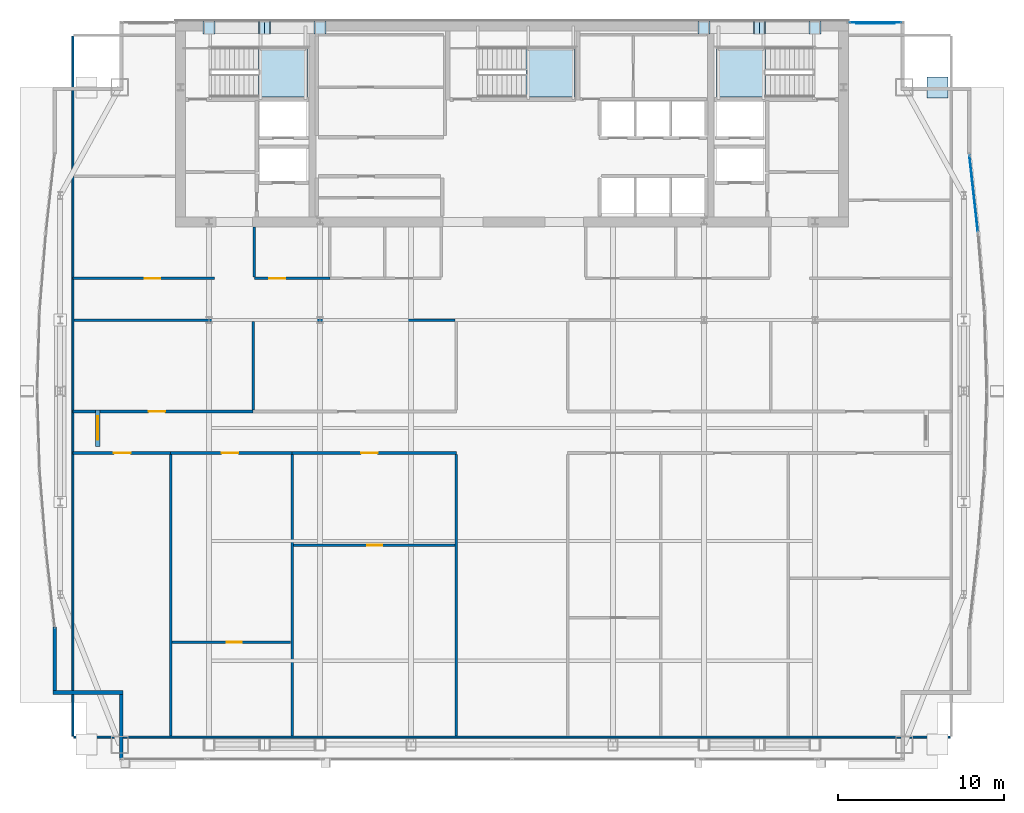
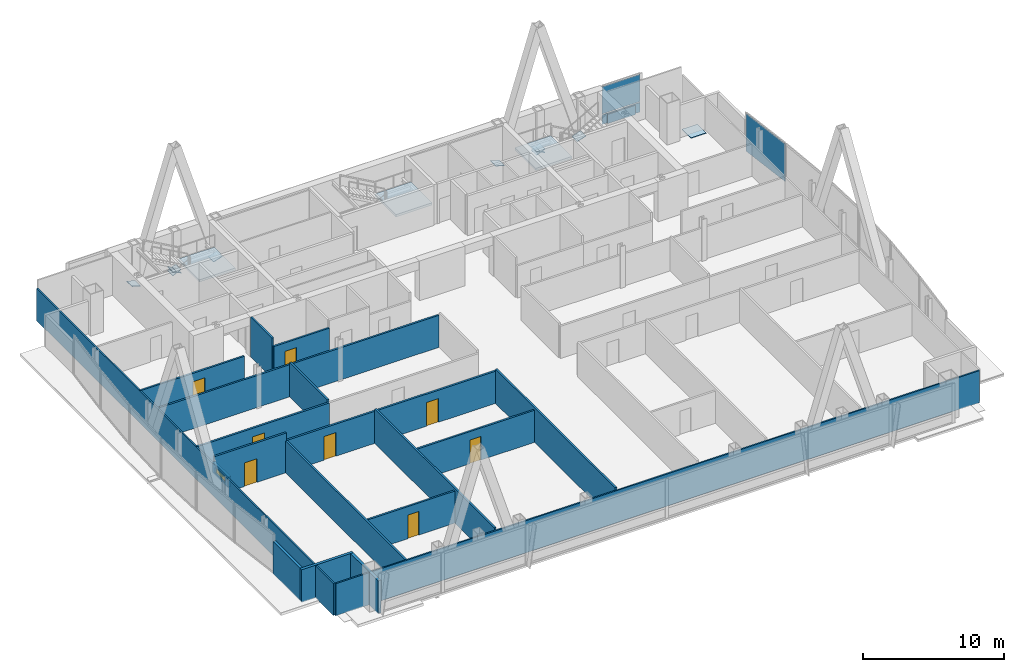
# One storey, part 25 of 30: 20 walls, 13 plates, 8 doors, 3 slabs, 1 window, 9 openings, 5 elements without a shape of their own.
"""IFC4 building model written with IfcOpenShell, lengths in metres."""

from ifc_helpers import new_model, si_unit, direction, frame, frame_2d, origin, origin_2d, place, context, subcontext, project, spatial, polyline, rectangle, outline, extrude, material, layer, layer_set, type_object, element, fill, aggregate, save


model = new_model("IFC4")

# Units and contexts
model_context = context("Model", 3, precision=1e-05, world=origin(), true_north=direction((0.0, 1.0)))
body_context = subcontext(model_context, "Body", "Model", "MODEL_VIEW")
ifc_project = project(units=[si_unit("LENGTHUNIT", "METRE"), si_unit("AREAUNIT", "SQUARE_METRE"), si_unit("VOLUMEUNIT", "CUBIC_METRE"), si_unit("PLANEANGLEUNIT", "RADIAN"), si_unit("MASSUNIT", "GRAM", prefix="KILO")], contexts=[model_context])

# Site, building, storey
site_placement = place(None, origin())
site = spatial("IfcSite", under=ifc_project, at=site_placement, CompositionType="ELEMENT")
building_placement = place(site_placement, origin())
building = spatial("IfcBuilding", under=site, at=building_placement, Name="Khoronbel Lancet Exchange", CompositionType="ELEMENT")
storey_placement = place(building_placement, frame((0.0, 0.0, 239.0)))
storey = spatial("IfcBuildingStorey", under=building, at=storey_placement, Name="L61", CompositionType="ELEMENT", Elevation=239.0)

# Curtain wall, plates
ifc_material_1 = material(Name="Low-E Solar Control Insulating Glass", Category="glass")
curtain_wall_type_1 = type_object("IfcCurtainWallType", Name="CW-3", PredefinedType="NOTDEFINED", material=ifc_material_1)
curtain_wall_1_placement = place(storey_placement, origin())
curtain_wall_1 = element("IfcCurtainWall", 1, at=curtain_wall_1_placement, inside=storey, type_object=curtain_wall_type_1, Name="Unitised curtain wall CW-L61-NEFLK", PredefinedType="NOTDEFINED")
ifc_material_2 = material(Name="Bronze-Anodised Aluminium 6063-T6", Category="aluminium")
ifc_layer_1 = layer(ifc_material_2, 0.050048828125, Name="Bronze-Anodised Aluminium 6063-T6")
ifc_layer_set_1 = layer_set([ifc_layer_1], Name="Bronze-Anodised Aluminium 6063-T6")
plate_type_1 = type_object("IfcPlateType", Name="PLT-CSP1", PredefinedType="SHEET", material=ifc_layer_set_1)
plate_1_placement = place(storey_placement, frame((58.320068359375, 53.550048828125, 0.0498046875), z_axis=(0.0, 0.0, 1.0), x_axis=(-1.0, 0.0, 0.0)))
plate_1 = element("IfcPlate", 2, at=plate_1_placement, type_object=plate_type_1, Name="Insulated bronze spandrel cassette CW-L61-NEFLK", PredefinedType="SHEET", context=body_context, shape_type="SweptSolid", body=[
    extrude(rectangle(XDim=2.2958984375, YDim=0.050048828125, at=origin_2d()), origin(), (0.0, 0.0, 1.0), 0.800048828125),
])
ifc_layer_2 = layer(ifc_material_1, 0.035888671875, Name="Low-E Solar Control Insulating Glass")
ifc_layer_set_2 = layer_set([ifc_layer_2], Name="Low-E Solar Control Insulating Glass")
plate_type_2 = type_object("IfcPlateType", Name="PLT-CWP1", PredefinedType="CURTAIN_PANEL", material=ifc_layer_set_2)
plate_2_placement = place(storey_placement, frame((58.320068359375, 53.610107421875, 0.0849609375), z_axis=(0.0, 0.0, 1.0), x_axis=(-1.0, 0.0, 0.0)))
plate_2 = element("IfcPlate", 3, at=plate_2_placement, type_object=plate_type_2, Name="CW3 panel 1.1", PredefinedType="CURTAIN_PANEL", context=body_context, shape_type="SweptSolid", body=[
    extrude(rectangle(XDim=3.110107421875, YDim=0.0380859375, at=origin_2d()), origin(), (0.0, 0.0, 1.0), 0.822509765625),
])
plate_3_placement = place(storey_placement, frame((58.320068359375, 53.610107421875, 0.99267578125), z_axis=(0.0, 0.0, 1.0), x_axis=(-1.0, 0.0, 0.0)))
plate_3 = element("IfcPlate", 4, at=plate_3_placement, type_object=plate_type_2, Name="CW3 panel 1.2", PredefinedType="CURTAIN_PANEL", context=body_context, shape_type="SweptSolid", body=[
    extrude(rectangle(XDim=3.110107421875, YDim=0.0380859375, at=origin_2d()), origin(), (0.0, 0.0, 1.0), 2.362548828125),
])
aggregate(curtain_wall_1, [plate_2, plate_3, plate_1])

# Curtain wall, plate
curtain_wall_type_2 = type_object("IfcCurtainWallType", Name="CW-4", PredefinedType="NOTDEFINED", material=ifc_material_1)
curtain_wall_2_placement = place(storey_placement, origin())
curtain_wall_2 = element("IfcCurtainWall", 5, at=curtain_wall_2_placement, inside=storey, type_object=curtain_wall_type_2, Name="Unitised curtain wall CW-L61-E17", PredefinedType="NOTDEFINED")
ifc_material_3 = material(Name="Ceramic-Fritted Laminated Insulating Glass", Category="glass")
ifc_layer_3 = layer(ifc_material_3, 0.0419921875, Name="Ceramic-Fritted Laminated Insulating Glass")
ifc_layer_set_3 = layer_set([ifc_layer_3], Name="Ceramic-Fritted Laminated Insulating Glass")
plate_type_3 = type_object("IfcPlateType", Name="PLT-CWP2", PredefinedType="CURTAIN_PANEL", material=ifc_layer_set_3)
plate_4_placement = place(storey_placement, frame((64.22265625, 43.318115234375, 0.0849609375), z_axis=(0.0, 0.0, 1.0), x_axis=(0.109857775256, -0.993947317123, 0.0)))
plate_4 = element("IfcPlate", 6, at=plate_4_placement, type_object=plate_type_3, Name="CW4 panel 1.1", PredefinedType="CURTAIN_PANEL", context=body_context, shape_type="SweptSolid", body=[
    extrude(rectangle(XDim=4.632568359375, YDim=0.0380859375, at=origin_2d()), origin(), (0.0, 0.0, 1.0), 3.27001953125),
])
aggregate(curtain_wall_2, [plate_4])

# Plates
ifc_material_4 = material(Name="Steel S460", Category="steel")
ifc_layer_4 = layer(ifc_material_4, 0.044921875, Name="Steel S460")
ifc_layer_set_4 = layer_set([ifc_layer_4], Name="Steel S460")
plate_type_4 = type_object("IfcPlateType", Name="PLT-ECP1", PredefinedType="USERDEFINED", material=ifc_layer_set_4)
plate_5_placement = place(storey_placement, frame((0.0, 0.0, -0.011962890625)))
element("IfcPlate", 7, at=plate_5_placement, inside=storey, type_object=plate_type_4, Name="Hollow end cap plate PLT-CAP-COL-L60-MC-NE-TOP", ObjectType="STIFFENER_PLATE", PredefinedType="USERDEFINED", context=body_context, shape_type="SweptSolid", body=[
    extrude(outline(polyline([(61.419921875, 49.070068359375), (62.679931640625, 49.070068359375), (62.679931640625, 50.330078125), (61.419921875, 50.330078125), (61.419921875, 49.070068359375)])), origin(), (0.0, 0.0, 1.0), 0.044921875),
])
for number, where, z_axis, x_axis, name in (
    (8, (21.921142578125, 52.89990234375, -0.1298828125), (0.420544868923, 0.0, 0.907271741664), (0.0, 1.0, 0.0), "Hollow end cap plate PLT-CAP-MEM-MB-T20-N-W-L-1"),
    (9, (21.203857421875, 53.659912109375, -0.1298828125), (-0.420544868923, 0.0, 0.907271741664), (0.0, -1.0, 0.0), "Hollow end cap plate PLT-CAP-MEM-MB-T20-N-W-R-1"),
    (10, (51.696044921875, 52.89990234375, -0.1298828125), (0.420544868923, 0.0, 0.907271741664), (0.0, 1.0, 0.0), "Hollow end cap plate PLT-CAP-MEM-MB-T20-N-E-L-1"),
):
    element("IfcPlate", number, at=place(storey_placement, frame(where, z_axis=z_axis, x_axis=x_axis)), inside=storey, type_object=plate_type_4, Name=name, ObjectType="STIFFENER_PLATE", PredefinedType="USERDEFINED", context=body_context, shape_type="SweptSolid", body=[
        extrude(outline(polyline([(0.0, 0.0), (0.760009765625, 0.0), (0.760009765625, 0.760009765625), (0.0, 0.760009765625), (0.0, 0.0)])), origin(), (0.0, 0.0, -1.0), 0.044921875),
    ])
plate_6_placement = place(storey_placement, frame((50.978759765625, 53.659912109375, -0.1298828125), z_axis=(-0.420422320018, 0.0, 0.907328536326), x_axis=(0.0, -1.0, 0.0)))
element("IfcPlate", 11, at=plate_6_placement, inside=storey, type_object=plate_type_4, Name="Hollow end cap plate PLT-CAP-MEM-MB-T20-N-E-R-1", ObjectType="STIFFENER_PLATE", PredefinedType="USERDEFINED", context=body_context, shape_type="SweptSolid", body=[
    extrude(outline(polyline([(0.0, 0.0), (0.760009765625, 0.0), (0.760009765625, 0.76025390625), (0.0, 0.76025390625), (0.0, 0.0)])), origin(), (0.0, 0.0, -1.0), 0.044921875),
])
for number, where, z_axis, x_axis, name in (
    (12, (18.591552734375, 52.89990234375, -0.100830078125), (0.295530172732, 0.0, 0.955333406202), (0.0, 1.0, 0.0), "Hollow end cap plate PLT-CAP-MEM-MB-T21-N-W-L-0"),
    (13, (24.533447265625, 53.659912109375, -0.100830078125), (-0.295530172732, 0.0, 0.955333406202), (0.0, -1.0, 0.0), "Hollow end cap plate PLT-CAP-MEM-MB-T21-N-W-R-0"),
):
    element("IfcPlate", number, at=place(storey_placement, frame(where, z_axis=z_axis, x_axis=x_axis)), inside=storey, type_object=plate_type_4, Name=name, ObjectType="STIFFENER_PLATE", PredefinedType="USERDEFINED", context=body_context, shape_type="SweptSolid", body=[
        extrude(outline(polyline([(0.0, 0.0), (0.760009765625, 0.0), (0.760009765625, 0.760009765625), (0.0, 0.760009765625), (0.0, 0.0)])), origin(), (0.0, 0.0, -1.0), 0.044921875),
    ])
plate_7_placement = place(storey_placement, frame((48.36669921875, 52.89990234375, -0.100830078125), z_axis=(0.295439506846, 0.0, 0.955361448769), x_axis=(0.0, 1.0, 0.0)))
element("IfcPlate", 14, at=plate_7_placement, inside=storey, type_object=plate_type_4, Name="Hollow end cap plate PLT-CAP-MEM-MB-T21-N-E-L-0", ObjectType="STIFFENER_PLATE", PredefinedType="USERDEFINED", context=body_context, shape_type="SweptSolid", body=[
    extrude(outline(polyline([(0.0, 0.0), (0.760009765625, 0.0), (0.760009765625, 0.76025390625), (0.0, 0.76025390625), (0.0, 0.0)])), origin(), (0.0, 0.0, -1.0), 0.044921875),
])
plate_8_placement = place(storey_placement, frame((54.308349609375, 53.659912109375, -0.100830078125), z_axis=(-0.295530172732, 0.0, 0.955333406202), x_axis=(0.0, -1.0, 0.0)))
element("IfcPlate", 15, at=plate_8_placement, inside=storey, type_object=plate_type_4, Name="Hollow end cap plate PLT-CAP-MEM-MB-T21-N-E-R-0", ObjectType="STIFFENER_PLATE", PredefinedType="USERDEFINED", context=body_context, shape_type="SweptSolid", body=[
    extrude(outline(polyline([(0.0, 0.0), (0.760009765625, 0.0), (0.760009765625, 0.760009765625), (0.0, 0.760009765625), (0.0, 0.0)])), origin(), (0.0, 0.0, -1.0), 0.044921875),
])

# Stair, slab
ifc_material_5 = material(Name="Concrete C40/50", Category="concrete")
stair_type = type_object("IfcStairType", Name="STR-CORE150", PredefinedType="HALF_TURN_STAIR", material=ifc_material_5)
stair_1_placement = place(storey_placement, origin())
stair_1 = element("IfcStair", 16, at=stair_1_placement, inside=storey, type_object=stair_type, Name="L61 Protected Exit Stair ST1", PredefinedType="HALF_TURN_STAIR")
ifc_layer_5 = layer(ifc_material_5, 0.199951171875, Name="Concrete C40/50")
ifc_layer_set_5 = layer_set([ifc_layer_5], Name="Concrete C40/50")
slab_type = type_object("IfcSlabType", Name="SL-LND180", PredefinedType="LANDING", material=ifc_layer_set_5)
slab_1_placement = place(storey_placement, frame((0.0, 0.0, 1.60009765625)))
slab_1 = element("IfcSlab", 17, at=slab_1_placement, type_object=slab_type, Name="ST1 landing 1", PredefinedType="LANDING", context=body_context, shape_type="SweptSolid", body=[
    extrude(outline(polyline([(21.199951171875, 49.1201171875), (24.14990234375, 49.1201171875), (24.14990234375, 52.10009765625), (21.199951171875, 52.10009765625), (21.199951171875, 49.1201171875)])), origin(), (0.0, 0.0, 1.0), 0.199951171875),
])
aggregate(stair_1, [slab_1])

stair_2_placement = place(storey_placement, origin())
stair_2 = element("IfcStair", 18, at=stair_2_placement, inside=storey, type_object=stair_type, Name="L61 Protected Exit Stair ST2", PredefinedType="HALF_TURN_STAIR")
slab_2_placement = place(storey_placement, frame((0.0, 0.0, 1.60009765625)))
slab_2 = element("IfcSlab", 19, at=slab_2_placement, type_object=slab_type, Name="ST2 landing 1", PredefinedType="LANDING", context=body_context, shape_type="SweptSolid", body=[
    extrude(outline(polyline([(51.699951171875, 52.10009765625), (48.75, 52.10009765625), (48.75, 49.1201171875), (51.699951171875, 49.1201171875), (51.699951171875, 52.10009765625)])), origin(), (0.0, 0.0, 1.0), 0.199951171875),
])
aggregate(stair_2, [slab_2])

stair_3_placement = place(storey_placement, origin())
stair_3 = element("IfcStair", 20, at=stair_3_placement, inside=storey, type_object=stair_type, Name="L61 Protected Exit Stair ST3", PredefinedType="HALF_TURN_STAIR")
slab_3_placement = place(storey_placement, frame((0.0, 0.0, 1.60009765625)))
slab_3 = element("IfcSlab", 21, at=slab_3_placement, type_object=slab_type, Name="ST3 landing 1", PredefinedType="LANDING", context=body_context, shape_type="SweptSolid", body=[
    extrude(outline(polyline([(37.300048828125, 49.1201171875), (40.25, 49.1201171875), (40.25, 52.10009765625), (37.300048828125, 52.10009765625), (37.300048828125, 49.1201171875)])), origin(), (0.0, 0.0, 1.0), 0.199951171875),
])
aggregate(stair_3, [slab_3])

# Walls
ifc_material_6 = material(Name="Precast concrete C40/50", Category="concrete")
ifc_layer_6 = layer(ifc_material_6, 0.25, Name="Precast concrete C40/50")
ifc_layer_set_6 = layer_set([ifc_layer_6], Name="Precast concrete C40/50")
wall_type_1 = type_object("IfcWallType", Name="WL-EXT250", PredefinedType="SOLIDWALL", material=ifc_layer_set_6)
wall_1_placement = place(storey_placement, frame((12.93994140625, 9.27001953125, 0.0), z_axis=(0.0, 0.0, 1.0), x_axis=(0.0, 1.0, 0.0)))
element("IfcWall", 22, at=wall_1_placement, inside=storey, type_object=wall_type_1, Name="Level L61 notched-corner limestone pier 01", PredefinedType="SOLIDWALL", context=body_context, shape_type="SweptSolid", body=[
    extrude(rectangle(XDim=3.909912109375, YDim=0.219970703125, at=frame_2d((1.955078125, 0.0))), origin(), (0.0, 0.0, 1.0), 2.830078125),
])
wall_2_placement = place(storey_placement, frame((13.050048828125, 13.2900390625, 0.0), z_axis=(0.0, 0.0, 1.0), x_axis=(-1.0, 0.0, 0.0)))
element("IfcWall", 23, at=wall_2_placement, inside=storey, type_object=wall_type_1, Name="Level L61 notched-corner limestone pier 02", PredefinedType="SOLIDWALL", context=body_context, shape_type="SweptSolid", body=[
    extrude(rectangle(XDim=4.219970703125, YDim=0.219970703125, at=frame_2d((2.10986328125, 0.0))), origin(), (0.0, 0.0, 1.0), 2.830078125),
])
wall_3_placement = place(storey_placement, frame((8.93994140625, 13.39990234375, 0.0), z_axis=(0.0, 0.0, 1.0), x_axis=(0.0, 1.0, 0.0)))
element("IfcWall", 24, at=wall_3_placement, inside=storey, type_object=wall_type_1, Name="Level L61 notched-corner limestone pier 03", PredefinedType="SOLIDWALL", context=body_context, shape_type="SweptSolid", body=[
    extrude(rectangle(XDim=3.8251953125, YDim=0.219970703125, at=frame_2d((1.91259765625, 0.0))), origin(), (0.0, 0.0, 1.0), 2.830078125),
])

# Wall, opening, window
ifc_layer_7 = layer(ifc_material_5, 0.25, Name="Concrete C40/50")
ifc_layer_set_7 = layer_set([ifc_layer_7], Name="Concrete C40/50")
wall_type_2 = type_object("IfcWallType", Name="WL-PAR250", PredefinedType="PARAPET", material=ifc_layer_set_7)
wall_4_placement = place(storey_placement, frame((11.52490234375, 28.10009765625, 0.0), z_axis=(0.0, 0.0, 1.0), x_axis=(0.0, 1.0, 0.0)))
wall_4 = element("IfcWall", 25, at=wall_4_placement, inside=storey, type_object=wall_type_2, Name="Level L61 setback roof slab 1 smoke-ventilation skylight lantern curb", PredefinedType="PARAPET", context=body_context, shape_type="SweptSolid", body=[
    extrude(rectangle(XDim=2.199951171875, YDim=0.25, at=frame_2d((1.10009765625, 0.0))), origin(), (0.0, 0.0, 1.0), 0.8798828125),
])
opening_1_placement = place(wall_4_placement, frame((0.39990234375, 0.0, 0.159912109375)))
opening_1 = element("IfcOpeningElement", 26, at=opening_1_placement, cuts=wall_4, Name="Opening SK2", PredefinedType="OPENING", context=body_context, shape_type="SweptSolid", body=[
    extrude(rectangle(XDim=1.39990234375, YDim=0.5, at=frame_2d((0.699951171875, 0.25))), frame((0.0, 0.135009765625, 0.0), z_axis=(0.0, -1.0, 0.0), x_axis=(1.0, 0.0, 0.0)), (0.0, 0.0, 1.0), 0.27001953125),
])
window_type = type_object("IfcWindowType", Name="WIN-SK2", PartitioningType="SINGLE_PANEL", PredefinedType="SKYLIGHT", material=ifc_material_1)
window_placement = place(opening_1_placement, origin())
window = element("IfcWindow", 27, at=window_placement, inside=storey, type_object=window_type, Name="Level L61 setback roof slab 1 smoke-ventilation clerestory skylight", OverallHeight=0.5, OverallWidth=1.39990234375, PartitioningType="SINGLE_PANEL", PredefinedType="SKYLIGHT", context=body_context, shape_type="SweptSolid", body=[
    extrude(rectangle(XDim=1.39990234375, YDim=0.5, at=frame_2d((0.699951171875, 0.25))), frame((0.0, 0.030029296875, 0.0), z_axis=(0.0, -1.0, 0.0), x_axis=(1.0, 0.0, 0.0)), (0.0, 0.0, 1.0), 0.06005859375),
])
fill(opening_1, window)

# Wall
ifc_material_7 = material(Name="Acoustic Metal-Stud & Mineral-Wool Gypsum Partition 120 mm", Category="gypsum")
ifc_layer_8 = layer(ifc_material_7, 0.1201171875, Name="Acoustic Metal-Stud & Mineral-Wool Gypsum Partition 120 mm")
ifc_layer_set_8 = layer_set([ifc_layer_8], Name="Acoustic Metal-Stud & Mineral-Wool Gypsum Partition 120 mm")
wall_type_3 = type_object("IfcWallType", Name="WL-PRT120", PredefinedType="PARTITIONING", material=ifc_layer_set_8)
wall_5_placement = place(storey_placement, frame((20.949951171875, 38.280029296875, 0.0), z_axis=(0.0, 0.0, 1.0), x_axis=(0.0, 1.0, 0.0)))
element("IfcWall", 28, at=wall_5_placement, inside=storey, type_object=wall_type_3, Name="Level L61 interior partition PW-WC-0", PredefinedType="PARTITIONING", context=body_context, shape_type="SweptSolid", body=[
    extrude(rectangle(XDim=3.02001953125, YDim=0.14990234375, at=frame_2d((1.510009765625, 0.0))), origin(), (0.0, 0.0, 1.0), 3.43994140625),
])

# Wall, opening, door
wall_6_placement = place(storey_placement, frame((15.99609375, 16.31689453125, 0.0), z_axis=(0.0, 0.0, 1.0), x_axis=(1.0, 0.0, 0.0)))
wall_6 = element("IfcWall", 29, at=wall_6_placement, inside=storey, type_object=wall_type_3, Name="Level L61 interior partition PW-Z3SW-H2", PredefinedType="PARTITIONING", context=body_context, shape_type="SweptSolid", body=[
    extrude(rectangle(XDim=7.140625, YDim=0.14990234375, at=frame_2d((3.5703125, 0.0))), origin(), (0.0, 0.0, 1.0), 2.780029296875),
])
opening_2_placement = place(wall_6_placement, frame((3.285400390625, 0.0, 0.0)))
opening_2 = element("IfcOpeningElement", 30, at=opening_2_placement, cuts=wall_6, Name="Opening D5", PredefinedType="OPENING", context=body_context, shape_type="SweptSolid", body=[
    extrude(rectangle(XDim=0.89990234375, YDim=2.050048828125, at=frame_2d((0.449951171875, 1.02490234375))), frame((0.0, 0.0849609375, 0.0), z_axis=(0.0, -1.0, 0.0), x_axis=(1.0, 0.0, 0.0)), (0.0, 0.0, 1.0), 0.169921875),
])
ifc_material_8 = material(Name="Acoustic Timber Pantry & Support Door", Category="wood")
door_type_1 = type_object("IfcDoorType", Name="DR-D5", OperationType="NOTDEFINED", PredefinedType="DOOR", material=ifc_material_8)
door_1_placement = place(opening_2_placement, origin())
door_1 = element("IfcDoor", 31, at=door_1_placement, inside=storey, type_object=door_type_1, Name="Z3SW inner door 2 L61-1", OperationType="SINGLE_SWING_LEFT", OverallHeight=2.050048828125, OverallWidth=0.89990234375, PredefinedType="DOOR", context=body_context, shape_type="SweptSolid", body=[
    extrude(rectangle(XDim=0.89990234375, YDim=2.050048828125, at=frame_2d((0.449951171875, 1.02490234375))), frame((0.0, 0.02490234375, 0.0), z_axis=(0.0, -1.0, 0.0), x_axis=(1.0, 0.0, 0.0)), (0.0, 0.0, 1.0), 0.050048828125),
])
fill(opening_2, door_1)

wall_7_placement = place(storey_placement, frame((23.296875, 22.141845703125, 0.0), z_axis=(0.0, 0.0, 1.0), x_axis=(1.0, 0.0, 0.0)))
wall_7 = element("IfcWall", 32, at=wall_7_placement, inside=storey, type_object=wall_type_3, Name="Level L61 interior partition PW-Z3SW-H3", PredefinedType="PARTITIONING", context=body_context, shape_type="SweptSolid", body=[
    extrude(rectangle(XDim=9.72314453125, YDim=0.14990234375, at=frame_2d((4.861572265625, 0.0))), origin(), (0.0, 0.0, 1.0), 2.780029296875),
])
opening_3_placement = place(wall_7_placement, frame((4.447509765625, 0.0, 0.0)))
opening_3 = element("IfcOpeningElement", 33, at=opening_3_placement, cuts=wall_7, Name="Opening D5", PredefinedType="OPENING", context=body_context, shape_type="SweptSolid", body=[
    extrude(rectangle(XDim=0.89990234375, YDim=2.050048828125, at=frame_2d((0.449951171875, 1.02490234375))), frame((0.0, 0.0849609375, 0.0), z_axis=(0.0, -1.0, 0.0), x_axis=(1.0, 0.0, 0.0)), (0.0, 0.0, 1.0), 0.169921875),
])
door_2_placement = place(opening_3_placement, origin())
door_2 = element("IfcDoor", 34, at=door_2_placement, inside=storey, type_object=door_type_1, Name="Z3SW inner door 3 L61-1", OperationType="SINGLE_SWING_LEFT", OverallHeight=2.050048828125, OverallWidth=0.89990234375, PredefinedType="DOOR", context=body_context, shape_type="SweptSolid", body=[
    extrude(rectangle(XDim=0.89990234375, YDim=2.050048828125, at=frame_2d((0.449951171875, 1.02490234375))), frame((0.0, 0.02490234375, 0.0), z_axis=(0.0, -1.0, 0.0), x_axis=(1.0, 0.0, 0.0)), (0.0, 0.0, 1.0), 0.050048828125),
])
fill(opening_3, door_2)

# Walls
wall_8_placement = place(storey_placement, frame((10.030029296875, 10.6650390625, 0.0), z_axis=(0.0, 0.0, 1.0), x_axis=(0.0, 1.0, 0.0)))
element("IfcWall", 35, at=wall_8_placement, inside=storey, type_object=wall_type_3, Name="Level L61 interior partition PW-LIN-W", PredefinedType="PARTITIONING", context=body_context, shape_type="SweptSolid", body=[
    extrude(rectangle(XDim=42.10986328125, YDim=0.1201171875, at=frame_2d((21.054931640625, 0.0))), origin(), (0.0, 0.0, 1.0), 2.780029296875),
])
wall_9_placement = place(storey_placement, frame((10.094970703125, 10.60009765625, 0.0), z_axis=(0.0, 0.0, 1.0), x_axis=(1.0, 0.0, 0.0)))
element("IfcWall", 36, at=wall_9_placement, inside=storey, type_object=wall_type_3, Name="Level L61 interior partition PW-LIN-S", PredefinedType="PARTITIONING", context=body_context, shape_type="SweptSolid", body=[
    extrude(rectangle(XDim=52.7099609375, YDim=0.1201171875, at=frame_2d((26.35498046875, 0.0))), origin(), (0.0, 0.0, 1.0), 2.780029296875),
])

# Wall, opening, door
ifc_material_9 = material(Name="Fire-Rated Twin-Stud Acoustic Gypsum Partition 150 mm", Category="gypsum")
ifc_layer_9 = layer(ifc_material_9, 0.14990234375, Name="Fire-Rated Twin-Stud Acoustic Gypsum Partition 150 mm")
ifc_layer_set_9 = layer_set([ifc_layer_9], Name="Fire-Rated Twin-Stud Acoustic Gypsum Partition 150 mm")
wall_type_4 = type_object("IfcWallType", Name="WL-PRT150C", PredefinedType="PARTITIONING", material=ifc_layer_set_9)
wall_10_placement = place(storey_placement, frame((20.949951171875, 38.199951171875, 0.0), z_axis=(0.0, 0.0, 1.0), x_axis=(1.0, 0.0, 0.0)))
wall_10 = element("IfcWall", 37, at=wall_10_placement, inside=storey, type_object=wall_type_4, Name="Level L61 interior partition PW-WC-S1", PredefinedType="PARTITIONING", context=body_context, shape_type="SweptSolid", body=[
    extrude(rectangle(XDim=4.550048828125, YDim=0.14990234375, at=frame_2d((2.27490234375, 0.0))), origin(), (0.0, 0.0, 1.0), 2.780029296875),
])
opening_4_placement = place(wall_10_placement, frame((0.89990234375, 0.0, 0.0)))
opening_4 = element("IfcOpeningElement", 38, at=opening_4_placement, cuts=wall_10, Name="Opening D4", PredefinedType="OPENING", context=body_context, shape_type="SweptSolid", body=[
    extrude(rectangle(XDim=0.949951171875, YDim=2.050048828125, at=frame_2d((0.47509765625, 1.02490234375))), frame((0.0, 0.0849609375, 0.0), z_axis=(0.0, -1.0, 0.0), x_axis=(1.0, 0.0, 0.0)), (0.0, 0.0, 1.0), 0.169921875),
])
ifc_material_10 = material(Name="Moisture-Resistant HPL Washroom Door", Category="wood")
door_type_2 = type_object("IfcDoorType", Name="DR-D4", OperationType="NOTDEFINED", PredefinedType="DOOR", material=ifc_material_10)
door_3_placement = place(opening_4_placement, origin())
door_3 = element("IfcDoor", 39, at=door_3_placement, inside=storey, type_object=door_type_2, Name="Male washroom door L61-1", OperationType="SINGLE_SWING_RIGHT", OverallHeight=2.050048828125, OverallWidth=0.949951171875, PredefinedType="DOOR", context=body_context, shape_type="SweptSolid", body=[
    extrude(rectangle(XDim=0.949951171875, YDim=2.050048828125, at=frame_2d((0.47509765625, 1.02490234375))), frame((0.0, 0.02490234375, 0.0), z_axis=(0.0, -1.0, 0.0), x_axis=(1.0, 0.0, 0.0)), (0.0, 0.0, 1.0), 0.050048828125),
])
fill(opening_4, door_3)

wall_11_placement = place(storey_placement, frame((10.030029296875, 38.199951171875, 0.0), z_axis=(0.0, 0.0, 1.0), x_axis=(1.0, 0.0, 0.0)))
wall_11 = element("IfcWall", 40, at=wall_11_placement, inside=storey, type_object=wall_type_4, Name="Level L61 interior partition PW-NW-S", PredefinedType="PARTITIONING", context=body_context, shape_type="SweptSolid", body=[
    extrude(rectangle(XDim=8.52001953125, YDim=0.14990234375, at=frame_2d((4.260009765625, 0.0))), origin(), (0.0, 0.0, 1.0), 2.780029296875),
])
opening_5_placement = place(wall_11_placement, frame((4.320068359375, 0.0, 0.0)))
opening_5 = element("IfcOpeningElement", 41, at=opening_5_placement, cuts=wall_11, Name="Opening D1", PredefinedType="OPENING", context=body_context, shape_type="SweptSolid", body=[
    extrude(rectangle(XDim=0.949951171875, YDim=2.050048828125, at=frame_2d((0.47509765625, 1.02490234375))), frame((0.0, 0.0849609375, 0.0), z_axis=(0.0, -1.0, 0.0), x_axis=(1.0, 0.0, 0.0)), (0.0, 0.0, 1.0), 0.169921875),
])
ifc_material_11 = material(Name="Acoustic Veneered Timber & Bronze Frame Door", Category="wood")
door_type_3 = type_object("IfcDoorType", Name="DR-D1", OperationType="NOTDEFINED", PredefinedType="DOOR", material=ifc_material_11)
door_4_placement = place(opening_5_placement, origin())
door_4 = element("IfcDoor", 42, at=door_4_placement, inside=storey, type_object=door_type_3, Name="NW corner room door L61-1", OperationType="SINGLE_SWING_LEFT", OverallHeight=2.050048828125, OverallWidth=0.949951171875, PredefinedType="DOOR", context=body_context, shape_type="SweptSolid", body=[
    extrude(rectangle(XDim=0.949951171875, YDim=2.050048828125, at=frame_2d((0.47509765625, 1.02490234375))), frame((0.0, 0.02490234375, 0.0), z_axis=(0.0, -1.0, 0.0), x_axis=(1.0, 0.0, 0.0)), (0.0, 0.0, 1.0), 0.050048828125),
])
fill(opening_5, door_4)

# Walls
wall_12_placement = place(storey_placement, frame((33.10009765625, 10.6650390625, 0.0), z_axis=(0.0, 0.0, 1.0), x_axis=(0.0, 1.0, 0.0)))
element("IfcWall", 43, at=wall_12_placement, inside=storey, type_object=wall_type_4, Name="Level L61 interior partition PW-Z3-CW1", PredefinedType="PARTITIONING", context=body_context, shape_type="SweptSolid", body=[
    extrude(rectangle(XDim=16.949951171875, YDim=0.14990234375, at=frame_2d((8.47509765625, 0.0))), origin(), (0.0, 0.0, 1.0), 2.97998046875),
])
wall_13_placement = place(storey_placement, frame((10.094970703125, 35.699951171875, 0.0), z_axis=(0.0, 0.0, 1.0), x_axis=(1.0, 0.0, 0.0)))
element("IfcWall", 44, at=wall_13_placement, inside=storey, type_object=wall_type_4, Name="Level L61 interior partition PW-Z3-WN", PredefinedType="PARTITIONING", context=body_context, shape_type="SweptSolid", body=[
    extrude(rectangle(XDim=22.925048828125, YDim=0.14990234375, at=frame_2d((11.46240234375, 0.0))), origin(), (0.0, 0.0, 1.0), 2.780029296875),
])
wall_14_placement = place(storey_placement, frame((15.916015625, 10.6650390625, 0.0), z_axis=(0.0, 0.0, 1.0), x_axis=(0.0, 1.0, 0.0)))
element("IfcWall", 45, at=wall_14_placement, inside=storey, type_object=wall_type_4, Name="Level L61 interior partition PW-Z3SW-V1", PredefinedType="PARTITIONING", context=body_context, shape_type="SweptSolid", body=[
    extrude(rectangle(XDim=16.949951171875, YDim=0.14990234375, at=frame_2d((8.47509765625, 0.0))), origin(), (0.0, 0.0, 1.0), 2.780029296875),
])
wall_15_placement = place(storey_placement, frame((23.216796875, 10.6650390625, 0.0), z_axis=(0.0, 0.0, 1.0), x_axis=(0.0, 1.0, 0.0)))
element("IfcWall", 46, at=wall_15_placement, inside=storey, type_object=wall_type_4, Name="Level L61 interior partition PW-Z3SW-V2", PredefinedType="PARTITIONING", context=body_context, shape_type="SweptSolid", body=[
    extrude(rectangle(XDim=16.949951171875, YDim=0.14990234375, at=frame_2d((8.47509765625, 0.0))), origin(), (0.0, 0.0, 1.0), 2.97998046875),
])
wall_16_placement = place(storey_placement, frame((20.87060546875, 30.284912109375, 0.0), z_axis=(0.0, 0.0, 1.0), x_axis=(0.0, 1.0, 0.0)))
element("IfcWall", 47, at=wall_16_placement, inside=storey, type_object=wall_type_4, Name="Level L61 interior partition PW-Z3NW-V1", PredefinedType="PARTITIONING", context=body_context, shape_type="SweptSolid", body=[
    extrude(rectangle(XDim=5.335205078125, YDim=0.14990234375, at=frame_2d((2.66748046875, 0.0))), origin(), (0.0, 0.0, 1.0), 2.97998046875),
])

# Wall, opening, door
ifc_material_12 = material(Name="Fire-Rated Twin-Stud Acoustic Gypsum Partition 160 mm", Category="gypsum")
ifc_layer_10 = layer(ifc_material_12, 0.159912109375, Name="Fire-Rated Twin-Stud Acoustic Gypsum Partition 160 mm")
ifc_layer_set_10 = layer_set([ifc_layer_10], Name="Fire-Rated Twin-Stud Acoustic Gypsum Partition 160 mm")
wall_type_5 = type_object("IfcWallType", Name="WL-PRT160C", PredefinedType="PARTITIONING", material=ifc_layer_set_10)
wall_17_placement = place(storey_placement, frame((10.030029296875, 27.699951171875, 0.0), z_axis=(0.0, 0.0, 1.0), x_axis=(1.0, 0.0, 0.0)))
wall_17 = element("IfcWall", 48, at=wall_17_placement, inside=storey, type_object=wall_type_5, Name="Level L61 interior partition PW-Z3SW-COR1", PredefinedType="PARTITIONING", context=body_context, shape_type="SweptSolid", body=[
    extrude(rectangle(XDim=5.885986328125, YDim=0.159912109375, at=frame_2d((2.94287109375, 0.0))), origin(), (0.0, 0.0, 1.0), 3.43994140625),
])
opening_6_placement = place(wall_17_placement, frame((2.47216796875, 0.0, 0.0)))
opening_6 = element("IfcOpeningElement", 49, at=opening_6_placement, cuts=wall_17, Name="Opening D2", PredefinedType="OPENING", context=body_context, shape_type="SweptSolid", body=[
    extrude(rectangle(XDim=1.0, YDim=2.050048828125, at=frame_2d((0.5, 1.02490234375))), frame((0.0, 0.08984375, 0.0), z_axis=(0.0, -1.0, 0.0), x_axis=(1.0, 0.0, 0.0)), (0.0, 0.0, 1.0), 0.179931640625),
])
door_type_4 = type_object("IfcDoorType", Name="DR-D2", OperationType="NOTDEFINED", PredefinedType="DOOR", material=ifc_material_11)
door_5_placement = place(opening_6_placement, origin())
door_5 = element("IfcDoor", 50, at=door_5_placement, inside=storey, type_object=door_type_4, Name="Z3SW bay 1 door L61-1", OperationType="SINGLE_SWING_LEFT", OverallHeight=2.050048828125, OverallWidth=1.0, PredefinedType="DOOR", context=body_context, shape_type="SweptSolid", body=[
    extrude(rectangle(XDim=1.0, YDim=2.050048828125, at=frame_2d((0.5, 1.02490234375))), frame((0.0, 0.02490234375, 0.0), z_axis=(0.0, -1.0, 0.0), x_axis=(1.0, 0.0, 0.0)), (0.0, 0.0, 1.0), 0.050048828125),
])
fill(opening_6, door_5)

wall_18_placement = place(storey_placement, frame((15.916015625, 27.699951171875, 0.0), z_axis=(0.0, 0.0, 1.0), x_axis=(1.0, 0.0, 0.0)))
wall_18 = element("IfcWall", 51, at=wall_18_placement, inside=storey, type_object=wall_type_5, Name="Level L61 interior partition PW-Z3SW-COR2", PredefinedType="PARTITIONING", context=body_context, shape_type="SweptSolid", body=[
    extrude(rectangle(XDim=7.30078125, YDim=0.159912109375, at=frame_2d((3.650390625, 0.0))), origin(), (0.0, 0.0, 1.0), 2.780029296875),
])
opening_7_placement = place(wall_18_placement, frame((3.06640625, 0.0, 0.0)))
opening_7 = element("IfcOpeningElement", 52, at=opening_7_placement, cuts=wall_18, Name="Opening D2", PredefinedType="OPENING", context=body_context, shape_type="SweptSolid", body=[
    extrude(rectangle(XDim=1.0, YDim=2.050048828125, at=frame_2d((0.5, 1.02490234375))), frame((0.0, 0.08984375, 0.0), z_axis=(0.0, -1.0, 0.0), x_axis=(1.0, 0.0, 0.0)), (0.0, 0.0, 1.0), 0.179931640625),
])
door_6_placement = place(opening_7_placement, origin())
door_6 = element("IfcDoor", 53, at=door_6_placement, inside=storey, type_object=door_type_4, Name="Z3SW bay 2 door L61-1", OperationType="SINGLE_SWING_RIGHT", OverallHeight=2.050048828125, OverallWidth=1.0, PredefinedType="DOOR", context=body_context, shape_type="SweptSolid", body=[
    extrude(rectangle(XDim=1.0, YDim=2.050048828125, at=frame_2d((0.5, 1.02490234375))), frame((0.0, 0.02490234375, 0.0), z_axis=(0.0, -1.0, 0.0), x_axis=(1.0, 0.0, 0.0)), (0.0, 0.0, 1.0), 0.050048828125),
])
fill(opening_7, door_6)

wall_19_placement = place(storey_placement, frame((23.216796875, 27.699951171875, 0.0), z_axis=(0.0, 0.0, 1.0), x_axis=(1.0, 0.0, 0.0)))
wall_19 = element("IfcWall", 54, at=wall_19_placement, inside=storey, type_object=wall_type_5, Name="Level L61 interior partition PW-Z3SW-COR3", PredefinedType="PARTITIONING", context=body_context, shape_type="SweptSolid", body=[
    extrude(rectangle(XDim=9.88330078125, YDim=0.159912109375, at=frame_2d((4.941650390625, 0.0))), origin(), (0.0, 0.0, 1.0), 2.780029296875),
])
opening_8_placement = place(wall_19_placement, frame((4.15087890625, 0.0, 0.0)))
opening_8 = element("IfcOpeningElement", 55, at=opening_8_placement, cuts=wall_19, Name="Opening D2", PredefinedType="OPENING", context=body_context, shape_type="SweptSolid", body=[
    extrude(rectangle(XDim=1.0, YDim=2.050048828125, at=frame_2d((0.5, 1.02490234375))), frame((0.0, 0.08984375, 0.0), z_axis=(0.0, -1.0, 0.0), x_axis=(1.0, 0.0, 0.0)), (0.0, 0.0, 1.0), 0.179931640625),
])
door_7_placement = place(opening_8_placement, origin())
door_7 = element("IfcDoor", 56, at=door_7_placement, inside=storey, type_object=door_type_4, Name="Z3SW bay 3 door L61-1", OperationType="SINGLE_SWING_RIGHT", OverallHeight=2.050048828125, OverallWidth=1.0, PredefinedType="DOOR", context=body_context, shape_type="SweptSolid", body=[
    extrude(rectangle(XDim=1.0, YDim=2.050048828125, at=frame_2d((0.5, 1.02490234375))), frame((0.0, 0.02490234375, 0.0), z_axis=(0.0, -1.0, 0.0), x_axis=(1.0, 0.0, 0.0)), (0.0, 0.0, 1.0), 0.050048828125),
])
fill(opening_8, door_7)

wall_20_placement = place(storey_placement, frame((10.030029296875, 30.199951171875, 0.0), z_axis=(0.0, 0.0, 1.0), x_axis=(1.0, 0.0, 0.0)))
wall_20 = element("IfcWall", 57, at=wall_20_placement, inside=storey, type_object=wall_type_5, Name="Level L61 interior partition PW-Z3NW-COR1", PredefinedType="PARTITIONING", context=body_context, shape_type="SweptSolid", body=[
    extrude(rectangle(XDim=10.840576171875, YDim=0.159912109375, at=frame_2d((5.42041015625, 0.0))), origin(), (0.0, 0.0, 1.0), 2.780029296875),
])
opening_9_placement = place(wall_20_placement, frame((4.552978515625, 0.0, 0.0)))
opening_9 = element("IfcOpeningElement", 58, at=opening_9_placement, cuts=wall_20, Name="Opening D2", PredefinedType="OPENING", context=body_context, shape_type="SweptSolid", body=[
    extrude(rectangle(XDim=1.0, YDim=2.050048828125, at=frame_2d((0.5, 1.02490234375))), frame((0.0, 0.08984375, 0.0), z_axis=(0.0, -1.0, 0.0), x_axis=(1.0, 0.0, 0.0)), (0.0, 0.0, 1.0), 0.179931640625),
])
door_8_placement = place(opening_9_placement, origin())
door_8 = element("IfcDoor", 59, at=door_8_placement, inside=storey, type_object=door_type_4, Name="Z3NW bay 1 door L61-1", OperationType="SINGLE_SWING_LEFT", OverallHeight=2.050048828125, OverallWidth=1.0, PredefinedType="DOOR", context=body_context, shape_type="SweptSolid", body=[
    extrude(rectangle(XDim=1.0, YDim=2.050048828125, at=frame_2d((0.5, 1.02490234375))), frame((0.0, 0.02490234375, 0.0), z_axis=(0.0, -1.0, 0.0), x_axis=(1.0, 0.0, 0.0)), (0.0, 0.0, 1.0), 0.050048828125),
])
fill(opening_9, door_8)

save(model, "model.ifc")
